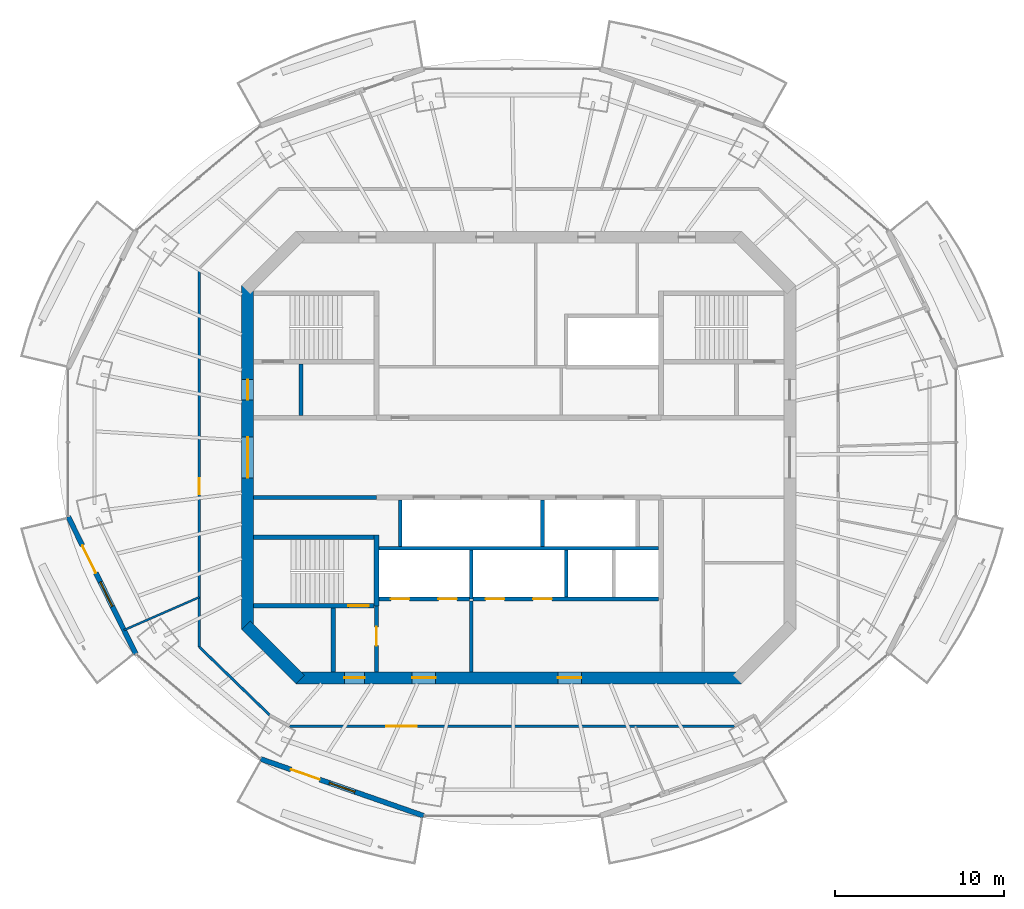
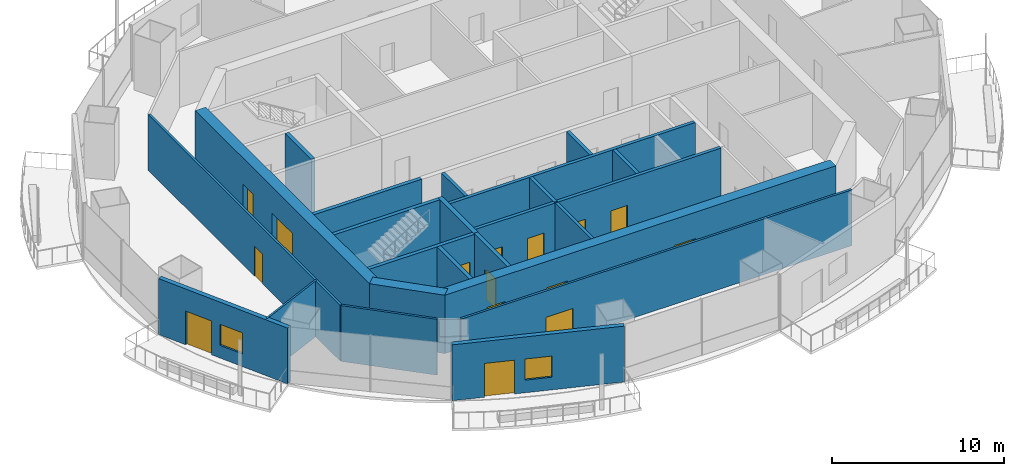
# One storey, part 8 of 16: 24 walls, 15 doors, 2 windows, 17 openings.
"""IFC4 building model written with IfcOpenShell, lengths in metres."""

from ifc_helpers import new_model, si_unit, direction, frame, frame_2d, origin, place, context, subcontext, project, spatial, rectangle, extrude, material, layer, layer_set, type_object, element, fill, save


model = new_model("IFC4")

# Units and contexts
model_context = context("Model", 3, precision=1e-05, world=origin(), true_north=direction((0.0, 1.0)))
body_context = subcontext(model_context, "Body", "Model", "MODEL_VIEW")
ifc_project = project(units=[si_unit("LENGTHUNIT", "METRE"), si_unit("AREAUNIT", "SQUARE_METRE"), si_unit("VOLUMEUNIT", "CUBIC_METRE"), si_unit("PLANEANGLEUNIT", "RADIAN"), si_unit("MASSUNIT", "GRAM", prefix="KILO")], contexts=[model_context])

# Site, building, storey
site_placement = place(None, origin())
site = spatial("IfcSite", under=ifc_project, at=site_placement, CompositionType="ELEMENT")
building_placement = place(site_placement, origin())
building = spatial("IfcBuilding", under=site, at=building_placement, Name="Marenthal Gate Tower", CompositionType="ELEMENT")
storey_placement = place(building_placement, frame((0.0, 0.0, 346.75)))
storey = spatial("IfcBuildingStorey", under=building, at=storey_placement, Name="L78", CompositionType="ELEMENT", Elevation=346.75)

# Wall, openings, doors
ifc_material_1 = material(Name="Concrete 60 MPa", Category="concrete")
ifc_layer_1 = layer(ifc_material_1, 0.699951171875)
ifc_layer_set_1 = layer_set([ifc_layer_1], Name="Core shear wall 700")
wall_type_1 = type_object("IfcWallType", Name="Core shear wall 700", PredefinedType="SHEAR", material=ifc_layer_set_1)
wall_1_placement = place(storey_placement, frame((-16.0, 10.14501953125, -0.179931640625), z_axis=(0.0, 0.0, 1.0), x_axis=(0.0, -1.0, 0.0)))
wall_1 = element("IfcWall", 1, at=wall_1_placement, inside=storey, type_object=wall_type_1, Name="Core wall 06", PredefinedType="SHEAR", context=body_context, shape_type="SweptSolid", body=[
    extrude(rectangle(XDim=20.2900390625, YDim=0.699951171875, at=frame_2d((10.14501953125, 0.0))), origin(), (0.0, 0.0, 1.0), 4.14990234375),
])
opening_1_placement = place(wall_1_placement, frame((8.945068359375, 0.0, 0.179931640625)))
opening_1 = element("IfcOpeningElement", 2, at=opening_1_placement, cuts=wall_1, Name="Opening D003.01", PredefinedType="OPENING", context=body_context, shape_type="SweptSolid", body=[
    extrude(rectangle(XDim=2.39990234375, YDim=2.10009765625, at=frame_2d((1.199951171875, 1.050048828125))), frame((0.0, 0.35986328125, 0.0), z_axis=(0.0, -1.0, 0.0), x_axis=(1.0, 0.0, 0.0)), (0.0, 0.0, 1.0), 0.719970703125),
])
opening_2_placement = place(wall_1_placement, frame((5.544921875, 0.0, 0.179931640625)))
opening_2 = element("IfcOpeningElement", 3, at=opening_2_placement, cuts=wall_1, Name="Opening D001.04", PredefinedType="OPENING", context=body_context, shape_type="SweptSolid", body=[
    extrude(rectangle(XDim=1.199951171875, YDim=2.10009765625, at=frame_2d((0.60009765625, 1.050048828125))), frame((0.0, 0.35986328125, 0.0), z_axis=(0.0, -1.0, 0.0), x_axis=(1.0, 0.0, 0.0)), (0.0, 0.0, 1.0), 0.719970703125),
])
ifc_material_2 = material(Name="Steel fire door", Category="steel")
door_type_1 = type_object("IfcDoorType", Name="Double fire door FD 45 2400 x 2100", OperationType="DOUBLE_DOOR_SINGLE_SWING", PredefinedType="DOOR", material=ifc_material_2)
door_1_placement = place(opening_1_placement, origin())
door_1 = element("IfcDoor", 4, at=door_1_placement, inside=storey, type_object=door_type_1, Name="Door D003.01", OperationType="DOUBLE_DOOR_SINGLE_SWING", OverallHeight=2.10009765625, OverallWidth=2.39990234375, PredefinedType="DOOR", context=body_context, shape_type="SweptSolid", body=[
    extrude(rectangle(XDim=2.39990234375, YDim=2.10009765625, at=frame_2d((1.199951171875, 1.050048828125))), frame((0.0, 0.02490234375, 0.0), z_axis=(0.0, -1.0, 0.0), x_axis=(1.0, 0.0, 0.0)), (0.0, 0.0, 1.0), 0.050048828125),
])
fill(opening_1, door_1)
ifc_material_3 = material(Name="Steel fire door", Category="steel")
door_type_2 = type_object("IfcDoorType", Name="Fire door FD 90 1200 x 2100", OperationType="NOTDEFINED", PredefinedType="DOOR", material=ifc_material_3)
door_2_placement = place(opening_2_placement, origin())
door_2 = element("IfcDoor", 5, at=door_2_placement, inside=storey, type_object=door_type_2, Name="Door D001.04", OperationType="SINGLE_SWING_RIGHT", OverallHeight=2.10009765625, OverallWidth=1.199951171875, PredefinedType="DOOR", context=body_context, shape_type="SweptSolid", body=[
    extrude(rectangle(XDim=1.199951171875, YDim=2.10009765625, at=frame_2d((0.60009765625, 1.050048828125))), frame((0.0, 0.02490234375, 0.0), z_axis=(0.0, -1.0, 0.0), x_axis=(1.0, 0.0, 0.0)), (0.0, 0.0, 1.0), 0.050048828125),
])
fill(opening_2, door_2)

# Wall
wall_2_placement = place(storey_placement, frame((-16.1025390625, -9.8974609375, -0.179931640625), z_axis=(0.0, 0.0, 1.0), x_axis=(0.707106781187, -0.707106781187, 0.0)))
element("IfcWall", 6, at=wall_2_placement, inside=storey, type_object=wall_type_1, Name="Core wall 07", PredefinedType="SHEAR", context=body_context, shape_type="SweptSolid", body=[
    extrude(rectangle(XDim=4.53271484375, YDim=0.699951171875, at=frame_2d((2.266357421875, 0.0))), origin(), (0.0, 0.0, 1.0), 4.14990234375),
])

# Wall, openings, doors
wall_3_placement = place(storey_placement, frame((-13.14501953125, -13.0, -0.179931640625), z_axis=(0.0, 0.0, 1.0), x_axis=(1.0, 0.0, 0.0)))
wall_3 = element("IfcWall", 7, at=wall_3_placement, inside=storey, type_object=wall_type_1, Name="Core wall 08", PredefinedType="SHEAR", context=body_context, shape_type="SweptSolid", body=[
    extrude(rectangle(XDim=26.2900390625, YDim=0.699951171875, at=frame_2d((13.14501953125, 0.0))), origin(), (0.0, 0.0, 1.0), 4.14990234375),
])
opening_3_placement = place(wall_3_placement, frame((2.844970703125, 0.0, 0.179931640625)))
opening_3 = element("IfcOpeningElement", 8, at=opening_3_placement, cuts=wall_3, Name="Opening D001.06", PredefinedType="OPENING", context=body_context, shape_type="SweptSolid", body=[
    extrude(rectangle(XDim=1.199951171875, YDim=2.10009765625, at=frame_2d((0.60009765625, 1.050048828125))), frame((0.0, 0.35986328125, 0.0), z_axis=(0.0, -1.0, 0.0), x_axis=(1.0, 0.0, 0.0)), (0.0, 0.0, 1.0), 0.719970703125),
])
opening_4_placement = place(wall_3_placement, frame((6.844970703125, 0.0, 0.179931640625)))
opening_4 = element("IfcOpeningElement", 9, at=opening_4_placement, cuts=wall_3, Name="Opening D004.01", PredefinedType="OPENING", context=body_context, shape_type="SweptSolid", body=[
    extrude(rectangle(XDim=1.39990234375, YDim=2.10009765625, at=frame_2d((0.699951171875, 1.050048828125))), frame((0.0, 0.35986328125, 0.0), z_axis=(0.0, -1.0, 0.0), x_axis=(1.0, 0.0, 0.0)), (0.0, 0.0, 1.0), 0.719970703125),
])
opening_5_placement = place(wall_3_placement, frame((15.445068359375, 0.0, 0.179931640625)))
opening_5 = element("IfcOpeningElement", 10, at=opening_5_placement, cuts=wall_3, Name="Opening D004.02", PredefinedType="OPENING", context=body_context, shape_type="SweptSolid", body=[
    extrude(rectangle(XDim=1.39990234375, YDim=2.10009765625, at=frame_2d((0.699951171875, 1.050048828125))), frame((0.0, 0.35986328125, 0.0), z_axis=(0.0, -1.0, 0.0), x_axis=(1.0, 0.0, 0.0)), (0.0, 0.0, 1.0), 0.719970703125),
])
ifc_material_4 = material(Name="Steel fire door", Category="steel")
door_type_3 = type_object("IfcDoorType", Name="Fire door FD 45 1400 x 2100", OperationType="NOTDEFINED", PredefinedType="DOOR", material=ifc_material_4)
door_3_placement = place(opening_4_placement, origin())
door_3 = element("IfcDoor", 11, at=door_3_placement, inside=storey, type_object=door_type_3, Name="Door D004.01", OperationType="SINGLE_SWING_RIGHT", OverallHeight=2.10009765625, OverallWidth=1.39990234375, PredefinedType="DOOR", context=body_context, shape_type="SweptSolid", body=[
    extrude(rectangle(XDim=1.39990234375, YDim=2.10009765625, at=frame_2d((0.699951171875, 1.050048828125))), frame((0.0, 0.02490234375, 0.0), z_axis=(0.0, -1.0, 0.0), x_axis=(1.0, 0.0, 0.0)), (0.0, 0.0, 1.0), 0.050048828125),
])
fill(opening_4, door_3)
door_4_placement = place(opening_5_placement, origin())
door_4 = element("IfcDoor", 12, at=door_4_placement, inside=storey, type_object=door_type_3, Name="Door D004.02", OperationType="SINGLE_SWING_RIGHT", OverallHeight=2.10009765625, OverallWidth=1.39990234375, PredefinedType="DOOR", context=body_context, shape_type="SweptSolid", body=[
    extrude(rectangle(XDim=1.39990234375, YDim=2.10009765625, at=frame_2d((0.699951171875, 1.050048828125))), frame((0.0, 0.02490234375, 0.0), z_axis=(0.0, -1.0, 0.0), x_axis=(1.0, 0.0, 0.0)), (0.0, 0.0, 1.0), 0.050048828125),
])
fill(opening_5, door_4)
door_5_placement = place(opening_3_placement, origin())
door_5 = element("IfcDoor", 13, at=door_5_placement, inside=storey, type_object=door_type_2, Name="Door D001.06", OperationType="SINGLE_SWING_RIGHT", OverallHeight=2.10009765625, OverallWidth=1.199951171875, PredefinedType="DOOR", context=body_context, shape_type="SweptSolid", body=[
    extrude(rectangle(XDim=1.199951171875, YDim=2.10009765625, at=frame_2d((0.60009765625, 1.050048828125))), frame((0.0, 0.02490234375, 0.0), z_axis=(0.0, -1.0, 0.0), x_axis=(1.0, 0.0, 0.0)), (0.0, 0.0, 1.0), 0.050048828125),
])
fill(opening_3, door_5)

# Walls
ifc_material_5 = material(Name="Gypsum board on steel studs", Category="steel")
ifc_layer_2 = layer(ifc_material_5, 0.199951171875)
ifc_layer_set_2 = layer_set([ifc_layer_2], Name="Fire lobby wall 200")
wall_type_2 = type_object("IfcWallType", Name="Fire lobby wall 200", PredefinedType="PARTITIONING", material=ifc_layer_set_2)
wall_4_placement = place(storey_placement, frame((-2.800048828125, -12.64990234375, 0.0), z_axis=(0.0, 0.0, 1.0), x_axis=(0.0, 1.0, 0.0)))
element("IfcWall", 14, at=wall_4_placement, inside=storey, type_object=wall_type_2, Name="Fire wall 36", PredefinedType="PARTITIONING", context=body_context, shape_type="SweptSolid", body=[
    extrude(rectangle(XDim=4.18994140625, YDim=0.199951171875, at=frame_2d((2.094970703125, 0.0))), origin(), (0.0, 0.0, 1.0), 3.969970703125),
])
ifc_material_6 = material(Name="Concrete 50 MPa", Category="concrete")
ifc_layer_3 = layer(ifc_material_6, 0.300048828125)
ifc_layer_set_3 = layer_set([ifc_layer_3], Name="Hoistway shear wall 300")
wall_type_3 = type_object("IfcWallType", Name="Hoistway shear wall 300", PredefinedType="SHEAR", material=ifc_layer_set_3)
wall_5_placement = place(storey_placement, frame((-8.39990234375, -8.75, -0.179931640625), z_axis=(0.0, 0.0, 1.0), x_axis=(0.0, 1.0, 0.0)))
element("IfcWall", 15, at=wall_5_placement, inside=storey, type_object=wall_type_3, Name="Hoistway wall 31", PredefinedType="SHEAR", context=body_context, shape_type="SweptSolid", body=[
    extrude(rectangle(XDim=4.175048828125, YDim=0.300048828125, at=frame_2d((2.08740234375, 0.0))), origin(), (0.0, 0.0, 1.0), 4.14990234375),
])

# Wall, openings, doors
ifc_material_7 = material(Name="Concrete 40 MPa", Category="concrete")
ifc_layer_4 = layer(ifc_material_7, 0.219970703125)
ifc_layer_set_4 = layer_set([ifc_layer_4], Name="Hoistway wall 220")
wall_type_4 = type_object("IfcWallType", Name="Hoistway wall 220", PredefinedType="STANDARD", material=ifc_layer_set_4)
wall_6_placement = place(storey_placement, frame((-8.25, -8.35009765625, 0.0), z_axis=(0.0, 0.0, 1.0), x_axis=(1.0, 0.0, 0.0)))
wall_6 = element("IfcWall", 16, at=wall_6_placement, inside=storey, type_object=wall_type_4, Name="Hoistway wall 10", PredefinedType="STANDARD", context=body_context, shape_type="SweptSolid", body=[
    extrude(rectangle(XDim=5.340087890625, YDim=0.219970703125, at=frame_2d((2.669921875, 0.0))), origin(), (0.0, 0.0, 1.0), 3.969970703125),
])
opening_6_placement = place(wall_6_placement, frame((0.699951171875, 0.0, 0.0)))
opening_6 = element("IfcOpeningElement", 17, at=opening_6_placement, cuts=wall_6, Name="Opening LD-LF1", PredefinedType="OPENING", context=body_context, shape_type="SweptSolid", body=[
    extrude(rectangle(XDim=1.10009765625, YDim=2.10009765625, at=frame_2d((0.550048828125, 1.050048828125))), frame((0.0, 0.1201171875, 0.0), z_axis=(0.0, -1.0, 0.0), x_axis=(1.0, 0.0, 0.0)), (0.0, 0.0, 1.0), 0.239990234375),
])
opening_7_placement = place(wall_6_placement, frame((3.5, 0.0, 0.0)))
opening_7 = element("IfcOpeningElement", 18, at=opening_7_placement, cuts=wall_6, Name="Opening LD-LF2", PredefinedType="OPENING", context=body_context, shape_type="SweptSolid", body=[
    extrude(rectangle(XDim=1.10009765625, YDim=2.10009765625, at=frame_2d((0.550048828125, 1.050048828125))), frame((0.0, 0.1201171875, 0.0), z_axis=(0.0, -1.0, 0.0), x_axis=(1.0, 0.0, 0.0)), (0.0, 0.0, 1.0), 0.239990234375),
])
ifc_material_8 = material(Name="Stainless steel sliding door", Category="steel")
door_type_4 = type_object("IfcDoorType", Name="Lift landing door FD 90 1100 x 2100", OperationType="DOUBLE_DOOR_SLIDING", PredefinedType="DOOR", material=ifc_material_8)
door_6_placement = place(opening_6_placement, origin())
door_6 = element("IfcDoor", 19, at=door_6_placement, inside=storey, type_object=door_type_4, Name="Lift landing door LF1", OperationType="DOUBLE_DOOR_SLIDING", OverallHeight=2.10009765625, OverallWidth=1.10009765625, PredefinedType="DOOR", context=body_context, shape_type="SweptSolid", body=[
    extrude(rectangle(XDim=1.10009765625, YDim=2.10009765625, at=frame_2d((0.550048828125, 1.050048828125))), frame((0.0, 0.02490234375, 0.0), z_axis=(0.0, -1.0, 0.0), x_axis=(1.0, 0.0, 0.0)), (0.0, 0.0, 1.0), 0.050048828125),
])
fill(opening_6, door_6)
door_7_placement = place(opening_7_placement, origin())
door_7 = element("IfcDoor", 20, at=door_7_placement, inside=storey, type_object=door_type_4, Name="Lift landing door LF2", OperationType="DOUBLE_DOOR_SLIDING", OverallHeight=2.10009765625, OverallWidth=1.10009765625, PredefinedType="DOOR", context=body_context, shape_type="SweptSolid", body=[
    extrude(rectangle(XDim=1.10009765625, YDim=2.10009765625, at=frame_2d((0.550048828125, 1.050048828125))), frame((0.0, 0.02490234375, 0.0), z_axis=(0.0, -1.0, 0.0), x_axis=(1.0, 0.0, 0.0)), (0.0, 0.0, 1.0), 0.050048828125),
])
fill(opening_7, door_7)

wall_7_placement = place(storey_placement, frame((-2.68994140625, -8.35009765625, 0.0), z_axis=(0.0, 0.0, 1.0), x_axis=(1.0, 0.0, 0.0)))
wall_7 = element("IfcWall", 21, at=wall_7_placement, inside=storey, type_object=wall_type_4, Name="Hoistway wall 11", PredefinedType="STANDARD", context=body_context, shape_type="SweptSolid", body=[
    extrude(rectangle(XDim=10.93994140625, YDim=0.219970703125, at=frame_2d((5.469970703125, 0.0))), origin(), (0.0, 0.0, 1.0), 3.969970703125),
])
opening_8_placement = place(wall_7_placement, frame((0.739990234375, 0.0, 0.0)))
opening_8 = element("IfcOpeningElement", 22, at=opening_8_placement, cuts=wall_7, Name="Opening LD-SV1", PredefinedType="OPENING", context=body_context, shape_type="SweptSolid", body=[
    extrude(rectangle(XDim=1.10009765625, YDim=2.10009765625, at=frame_2d((0.550048828125, 1.050048828125))), frame((0.0, 0.1201171875, 0.0), z_axis=(0.0, -1.0, 0.0), x_axis=(1.0, 0.0, 0.0)), (0.0, 0.0, 1.0), 0.239990234375),
])
opening_9_placement = place(wall_7_placement, frame((3.5400390625, 0.0, 0.0)))
opening_9 = element("IfcOpeningElement", 23, at=opening_9_placement, cuts=wall_7, Name="Opening LD-SV2", PredefinedType="OPENING", context=body_context, shape_type="SweptSolid", body=[
    extrude(rectangle(XDim=1.10009765625, YDim=2.10009765625, at=frame_2d((0.550048828125, 1.050048828125))), frame((0.0, 0.1201171875, 0.0), z_axis=(0.0, -1.0, 0.0), x_axis=(1.0, 0.0, 0.0)), (0.0, 0.0, 1.0), 0.239990234375),
])
door_8_placement = place(opening_8_placement, origin())
door_8 = element("IfcDoor", 24, at=door_8_placement, inside=storey, type_object=door_type_4, Name="Lift landing door SV1", OperationType="DOUBLE_DOOR_SLIDING", OverallHeight=2.10009765625, OverallWidth=1.10009765625, PredefinedType="DOOR", context=body_context, shape_type="SweptSolid", body=[
    extrude(rectangle(XDim=1.10009765625, YDim=2.10009765625, at=frame_2d((0.550048828125, 1.050048828125))), frame((0.0, 0.02490234375, 0.0), z_axis=(0.0, -1.0, 0.0), x_axis=(1.0, 0.0, 0.0)), (0.0, 0.0, 1.0), 0.050048828125),
])
fill(opening_8, door_8)
door_9_placement = place(opening_9_placement, origin())
door_9 = element("IfcDoor", 25, at=door_9_placement, inside=storey, type_object=door_type_4, Name="Lift landing door SV2", OperationType="DOUBLE_DOOR_SLIDING", OverallHeight=2.10009765625, OverallWidth=1.10009765625, PredefinedType="DOOR", context=body_context, shape_type="SweptSolid", body=[
    extrude(rectangle(XDim=1.10009765625, YDim=2.10009765625, at=frame_2d((0.550048828125, 1.050048828125))), frame((0.0, 0.02490234375, 0.0), z_axis=(0.0, -1.0, 0.0), x_axis=(1.0, 0.0, 0.0)), (0.0, 0.0, 1.0), 0.050048828125),
])
fill(opening_9, door_9)

# Walls
wall_8_placement = place(storey_placement, frame((-8.25, -5.35009765625, 0.0), z_axis=(0.0, 0.0, 1.0), x_axis=(1.0, 0.0, 0.0)))
element("IfcWall", 26, at=wall_8_placement, inside=storey, type_object=wall_type_4, Name="Hoistway wall 13", PredefinedType="STANDARD", context=body_context, shape_type="SweptSolid", body=[
    extrude(rectangle(XDim=16.5, YDim=0.219970703125, at=frame_2d((8.25, 0.0))), origin(), (0.0, 0.0, 1.0), 3.969970703125),
])
wall_9_placement = place(storey_placement, frame((-7.0, -5.239990234375, 0.0), z_axis=(0.0, 0.0, 1.0), x_axis=(0.0, 1.0, 0.0)))
element("IfcWall", 27, at=wall_9_placement, inside=storey, type_object=wall_type_4, Name="Hoistway wall 34", PredefinedType="STANDARD", context=body_context, shape_type="SweptSolid", body=[
    extrude(rectangle(XDim=2.739990234375, YDim=0.219970703125, at=frame_2d((1.3701171875, 0.0))), origin(), (0.0, 0.0, 1.0), 3.969970703125),
])
wall_10_placement = place(storey_placement, frame((-2.800048828125, -8.35009765625, 0.0), z_axis=(0.0, 0.0, 1.0), x_axis=(0.0, 1.0, 0.0)))
element("IfcWall", 28, at=wall_10_placement, inside=storey, type_object=wall_type_4, Name="Hoistway wall 37", PredefinedType="STANDARD", context=body_context, shape_type="SweptSolid", body=[
    extrude(rectangle(XDim=2.89013671875, YDim=0.219970703125, at=frame_2d((1.445068359375, 0.0))), origin(), (0.0, 0.0, 1.0), 3.969970703125),
])
wall_11_placement = place(storey_placement, frame((1.39990234375, -5.239990234375, 0.0), z_axis=(0.0, 0.0, 1.0), x_axis=(0.0, 1.0, 0.0)))
element("IfcWall", 29, at=wall_11_placement, inside=storey, type_object=wall_type_4, Name="Hoistway wall 39", PredefinedType="STANDARD", context=body_context, shape_type="SweptSolid", body=[
    extrude(rectangle(XDim=2.739990234375, YDim=0.219970703125, at=frame_2d((1.3701171875, 0.0))), origin(), (0.0, 0.0, 1.0), 3.969970703125),
])
wall_12_placement = place(storey_placement, frame((2.800048828125, -8.239990234375, 0.0), z_axis=(0.0, 0.0, 1.0), x_axis=(0.0, 1.0, 0.0)))
element("IfcWall", 30, at=wall_12_placement, inside=storey, type_object=wall_type_4, Name="Hoistway wall 41", PredefinedType="STANDARD", context=body_context, shape_type="SweptSolid", body=[
    extrude(rectangle(XDim=2.780029296875, YDim=0.219970703125, at=frame_2d((1.39013671875, 0.0))), origin(), (0.0, 0.0, 1.0), 3.969970703125),
])
ifc_material_9 = material(Name="Gypsum board on steel studs", Category="steel")
ifc_layer_5 = layer(ifc_material_9, 0.1201171875)
ifc_layer_set_5 = layer_set([ifc_layer_5], Name="Partition 120")
wall_type_5 = type_object("IfcWallType", Name="Partition 120", PredefinedType="PARTITIONING", material=ifc_layer_set_5)
wall_13_placement = place(storey_placement, frame((-18.85009765625, -8.239013671875, 0.0), z_axis=(0.0, 0.0, 1.0), x_axis=(-0.916287746966, -0.400520617148, 0.0)))
element("IfcWall", 31, at=wall_13_placement, inside=storey, type_object=wall_type_5, Name="Partition wall 53", PredefinedType="PARTITIONING", context=body_context, shape_type="SweptSolid", body=[
    extrude(rectangle(XDim=4.853271484375, YDim=0.1201171875, at=frame_2d((2.4267578125, 0.0))), origin(), (0.0, 0.0, 1.0), 3.969970703125),
])

# Wall, opening, door
ifc_material_10 = material(Name="Gypsum board on steel studs", Category="steel")
ifc_layer_6 = layer(ifc_material_10, 0.14990234375)
ifc_layer_set_6 = layer_set([ifc_layer_6], Name="Partition 150")
wall_type_6 = type_object("IfcWallType", Name="Partition 150", PredefinedType="PARTITIONING", material=ifc_layer_set_6)
wall_14_placement = place(storey_placement, frame((-18.85009765625, -11.180419921875, 0.0), z_axis=(0.0, 0.0, 1.0), x_axis=(0.0, 1.0, 0.0)))
wall_14 = element("IfcWall", 32, at=wall_14_placement, inside=storey, type_object=wall_type_6, Name="Partition wall 52", PredefinedType="PARTITIONING", context=body_context, shape_type="SweptSolid", body=[
    extrude(rectangle(XDim=22.36083984375, YDim=0.14990234375, at=frame_2d((11.180419921875, 0.0))), origin(), (0.0, 0.0, 1.0), 3.969970703125),
])
opening_10_placement = place(wall_14_placement, frame((9.02001953125, 0.0, 0.0)))
opening_10 = element("IfcOpeningElement", 33, at=opening_10_placement, cuts=wall_14, Name="Opening D016.04", PredefinedType="OPENING", context=body_context, shape_type="SweptSolid", body=[
    extrude(rectangle(XDim=0.949951171875, YDim=2.10009765625, at=frame_2d((0.47509765625, 1.050048828125))), frame((0.0, 0.0849609375, 0.0), z_axis=(0.0, -1.0, 0.0), x_axis=(1.0, 0.0, 0.0)), (0.0, 0.0, 1.0), 0.169921875),
])
ifc_material_11 = material(Name="Timber door", Category="wood")
door_type_5 = type_object("IfcDoorType", Name="Door 950 x 2100", OperationType="NOTDEFINED", PredefinedType="DOOR", material=ifc_material_11)
door_10_placement = place(opening_10_placement, frame((0.949951171875, 0.0, 0.0), z_axis=(0.0, 0.0, 1.0), x_axis=(-1.0, 0.0, 0.0)))
door_10 = element("IfcDoor", 34, at=door_10_placement, inside=storey, type_object=door_type_5, Name="Door D016.04", OperationType="SINGLE_SWING_LEFT", OverallHeight=2.10009765625, OverallWidth=0.949951171875, PredefinedType="DOOR", context=body_context, shape_type="SweptSolid", body=[
    extrude(rectangle(XDim=0.949951171875, YDim=2.10009765625, at=frame_2d((0.47509765625, 1.050048828125))), frame((0.0, 0.02490234375, 0.0), z_axis=(0.0, -1.0, 0.0), x_axis=(1.0, 0.0, 0.0)), (0.0, 0.0, 1.0), 0.050048828125),
])
fill(opening_10, door_10)

# Wall
wall_15_placement = place(storey_placement, frame((-14.706787109375, -15.194580078125, 0.0), z_axis=(0.0, 0.0, 1.0), x_axis=(-0.718211802801, 0.695824551391, 0.0)))
element("IfcWall", 35, at=wall_15_placement, inside=storey, type_object=wall_type_6, Name="Partition wall 55", PredefinedType="PARTITIONING", context=body_context, shape_type="SweptSolid", body=[
    extrude(rectangle(XDim=5.76904296875, YDim=0.14990234375, at=frame_2d((2.884521484375, 0.0))), origin(), (0.0, 0.0, 1.0), 3.969970703125),
])

# Wall, opening, door
wall_16_placement = place(storey_placement, frame((12.7275390625, -15.85009765625, 0.0), z_axis=(0.0, 0.0, 1.0), x_axis=(-1.0, 0.0, 0.0)))
wall_16 = element("IfcWall", 36, at=wall_16_placement, inside=storey, type_object=wall_type_6, Name="Partition wall 62", PredefinedType="PARTITIONING", context=body_context, shape_type="SweptSolid", body=[
    extrude(rectangle(XDim=26.255126953125, YDim=0.14990234375, at=frame_2d((13.12744140625, 0.0))), origin(), (0.0, 0.0, 1.0), 3.969970703125),
])
opening_11_placement = place(wall_16_placement, frame((18.741943359375, 0.0, 0.0)))
opening_11 = element("IfcOpeningElement", 37, at=opening_11_placement, cuts=wall_16, Name="Opening D014.03", PredefinedType="OPENING", context=body_context, shape_type="SweptSolid", body=[
    extrude(rectangle(XDim=1.800048828125, YDim=2.10009765625, at=frame_2d((0.89990234375, 1.050048828125))), frame((0.0, 0.0849609375, 0.0), z_axis=(0.0, -1.0, 0.0), x_axis=(1.0, 0.0, 0.0)), (0.0, 0.0, 1.0), 0.169921875),
])
ifc_material_12 = material(Name="Timber door", Category="wood")
door_type_6 = type_object("IfcDoorType", Name="Double door 1800 x 2100", OperationType="DOUBLE_DOOR_SINGLE_SWING", PredefinedType="DOOR", material=ifc_material_12)
door_11_placement = place(opening_11_placement, origin())
door_11 = element("IfcDoor", 38, at=door_11_placement, inside=storey, type_object=door_type_6, Name="Door D014.03", OperationType="DOUBLE_DOOR_SINGLE_SWING", OverallHeight=2.10009765625, OverallWidth=1.800048828125, PredefinedType="DOOR", context=body_context, shape_type="SweptSolid", body=[
    extrude(rectangle(XDim=1.800048828125, YDim=2.10009765625, at=frame_2d((0.89990234375, 1.050048828125))), frame((0.0, 0.02490234375, 0.0), z_axis=(0.0, -1.0, 0.0), x_axis=(1.0, 0.0, 0.0)), (0.0, 0.0, 1.0), 0.050048828125),
])
fill(opening_11, door_11)

# Walls
ifc_material_13 = material(Name="Concrete 40 MPa", Category="concrete")
ifc_layer_7 = layer(ifc_material_13, 0.25)
ifc_layer_set_7 = layer_set([ifc_layer_7], Name="Stair enclosure wall 250")
wall_type_7 = type_object("IfcWallType", Name="Stair enclosure wall 250", PredefinedType="STANDARD", material=ifc_layer_set_7)
wall_17_placement = place(storey_placement, frame((-15.64990234375, -2.35009765625, 0.0), z_axis=(0.0, 0.0, 1.0), x_axis=(1.0, 0.0, 0.0)))
element("IfcWall", 39, at=wall_17_placement, inside=storey, type_object=wall_type_7, Name="Stair wall 15", PredefinedType="STANDARD", context=body_context, shape_type="SweptSolid", body=[
    extrude(rectangle(XDim=7.25, YDim=0.25, at=frame_2d((3.625, 0.0))), origin(), (0.0, 0.0, 1.0), 3.969970703125),
])
wall_18_placement = place(storey_placement, frame((-12.85009765625, 2.47509765625, 0.0), z_axis=(0.0, 0.0, 1.0), x_axis=(0.0, 1.0, 0.0)))
element("IfcWall", 40, at=wall_18_placement, inside=storey, type_object=wall_type_7, Name="Stair wall 28", PredefinedType="STANDARD", context=body_context, shape_type="SweptSolid", body=[
    extrude(rectangle(XDim=3.0498046875, YDim=0.25, at=frame_2d((1.52490234375, 0.0))), origin(), (0.0, 0.0, 1.0), 3.969970703125),
])
wall_19_placement = place(storey_placement, frame((-10.949951171875, -12.64990234375, 0.0), z_axis=(0.0, 0.0, 1.0), x_axis=(0.0, 1.0, 0.0)))
element("IfcWall", 41, at=wall_19_placement, inside=storey, type_object=wall_type_7, Name="Stair wall 29", PredefinedType="STANDARD", context=body_context, shape_type="SweptSolid", body=[
    extrude(rectangle(XDim=3.77490234375, YDim=0.25, at=frame_2d((1.887451171875, 0.0))), origin(), (0.0, 0.0, 1.0), 3.969970703125),
])

# Wall, opening, door
wall_20_placement = place(storey_placement, frame((-8.39990234375, -12.64990234375, 0.0), z_axis=(0.0, 0.0, 1.0), x_axis=(0.0, 1.0, 0.0)))
wall_20 = element("IfcWall", 42, at=wall_20_placement, inside=storey, type_object=wall_type_7, Name="Stair wall 30", PredefinedType="STANDARD", context=body_context, shape_type="SweptSolid", body=[
    extrude(rectangle(XDim=3.89990234375, YDim=0.25, at=frame_2d((1.949951171875, 0.0))), origin(), (0.0, 0.0, 1.0), 3.969970703125),
])
opening_12_placement = place(wall_20_placement, frame((1.550048828125, 0.0, 0.0)))
opening_12 = element("IfcOpeningElement", 43, at=opening_12_placement, cuts=wall_20, Name="Opening D002.01", PredefinedType="OPENING", context=body_context, shape_type="SweptSolid", body=[
    extrude(rectangle(XDim=1.10009765625, YDim=2.10009765625, at=frame_2d((0.550048828125, 1.050048828125))), frame((0.0, 0.135009765625, 0.0), z_axis=(0.0, -1.0, 0.0), x_axis=(1.0, 0.0, 0.0)), (0.0, 0.0, 1.0), 0.27001953125),
])
ifc_material_14 = material(Name="Steel fire door", Category="steel")
door_type_7 = type_object("IfcDoorType", Name="Fire door FD 90 1100 x 2100", OperationType="NOTDEFINED", PredefinedType="DOOR", material=ifc_material_14)
door_12_placement = place(opening_12_placement, origin())
door_12 = element("IfcDoor", 44, at=door_12_placement, inside=storey, type_object=door_type_7, Name="Door D002.01", OperationType="SINGLE_SWING_RIGHT", OverallHeight=2.10009765625, OverallWidth=1.10009765625, PredefinedType="DOOR", context=body_context, shape_type="SweptSolid", body=[
    extrude(rectangle(XDim=1.10009765625, YDim=2.10009765625, at=frame_2d((0.550048828125, 1.050048828125))), frame((0.0, 0.02490234375, 0.0), z_axis=(0.0, -1.0, 0.0), x_axis=(1.0, 0.0, 0.0)), (0.0, 0.0, 1.0), 0.050048828125),
])
fill(opening_12, door_12)

ifc_material_15 = material(Name="Concrete 50 MPa", Category="concrete")
ifc_layer_8 = layer(ifc_material_15, 0.25)
ifc_layer_set_8 = layer_set([ifc_layer_8], Name="Stair shear wall 250")
wall_type_8 = type_object("IfcWallType", Name="Stair shear wall 250", PredefinedType="SHEAR", material=ifc_layer_set_8)
wall_21_placement = place(storey_placement, frame((-15.64990234375, -8.75, -0.179931640625), z_axis=(0.0, 0.0, 1.0), x_axis=(1.0, 0.0, 0.0)))
wall_21 = element("IfcWall", 45, at=wall_21_placement, inside=storey, type_object=wall_type_8, Name="Stair wall 09", PredefinedType="SHEAR", context=body_context, shape_type="SweptSolid", body=[
    extrude(rectangle(XDim=7.099853515625, YDim=0.25, at=frame_2d((3.5498046875, 0.0))), origin(), (0.0, 0.0, 1.0), 4.14990234375),
])
opening_13_placement = place(wall_21_placement, frame((5.60009765625, 0.0, 0.179931640625)))
opening_13 = element("IfcOpeningElement", 46, at=opening_13_placement, cuts=wall_21, Name="Opening D001.03", PredefinedType="OPENING", context=body_context, shape_type="SweptSolid", body=[
    extrude(rectangle(XDim=1.199951171875, YDim=2.10009765625, at=frame_2d((0.60009765625, 1.050048828125))), frame((0.0, 0.135009765625, 0.0), z_axis=(0.0, -1.0, 0.0), x_axis=(1.0, 0.0, 0.0)), (0.0, 0.0, 1.0), 0.27001953125),
])
door_13_placement = place(opening_13_placement, origin())
door_13 = element("IfcDoor", 47, at=door_13_placement, inside=storey, type_object=door_type_2, Name="Door D001.03", OperationType="SINGLE_SWING_RIGHT", OverallHeight=2.10009765625, OverallWidth=1.199951171875, PredefinedType="DOOR", context=body_context, shape_type="SweptSolid", body=[
    extrude(rectangle(XDim=1.199951171875, YDim=2.10009765625, at=frame_2d((0.60009765625, 1.050048828125))), frame((0.0, 0.02490234375, 0.0), z_axis=(0.0, -1.0, 0.0), x_axis=(1.0, 0.0, 0.0)), (0.0, 0.0, 1.0), 0.050048828125),
])
fill(opening_13, door_13)

# Wall
wall_22_placement = place(storey_placement, frame((-15.64990234375, -4.699951171875, -0.179931640625), z_axis=(0.0, 0.0, 1.0), x_axis=(1.0, 0.0, 0.0)))
element("IfcWall", 48, at=wall_22_placement, inside=storey, type_object=wall_type_8, Name="Stair wall 14", PredefinedType="SHEAR", context=body_context, shape_type="SweptSolid", body=[
    extrude(rectangle(XDim=7.099853515625, YDim=0.25, at=frame_2d((3.5498046875, 0.0))), origin(), (0.0, 0.0, 1.0), 4.14990234375),
])

# Wall, openings, door, window
ifc_material_16 = material(Name="Terracotta cladding on insulated concrete-block backing", Category="masonry")
ifc_layer_9 = layer(ifc_material_16, 0.300048828125)
ifc_layer_set_9 = layer_set([ifc_layer_9], Name="Terracotta facade wall 300")
wall_type_9 = type_object("IfcWallType", Name="Terracotta facade wall 300", PredefinedType="SOLIDWALL", material=ifc_layer_set_9)
wall_23_placement = place(storey_placement, frame((-26.59375, -3.48486328125, 0.0), z_axis=(0.0, 0.0, 1.0), x_axis=(0.441581239579, -0.897221270842, 0.0)))
wall_23 = element("IfcWall", 49, at=wall_23_placement, inside=storey, type_object=wall_type_9, Name="Terracotta facade wall L78 bay 9", PredefinedType="SOLIDWALL", context=body_context, shape_type="SweptSolid", body=[
    extrude(rectangle(XDim=9.0302734375, YDim=0.300048828125, at=frame_2d((4.51513671875, 0.0))), origin(), (0.0, 0.0, 1.0), 3.969970703125),
])
opening_14_placement = place(wall_23_placement, frame((1.89990234375, 0.0, 0.0)))
opening_14 = element("IfcOpeningElement", 50, at=opening_14_placement, cuts=wall_23, Name="Opening BD-L78-09", PredefinedType="OPENING", context=body_context, shape_type="SweptSolid", body=[
    extrude(rectangle(XDim=1.800048828125, YDim=2.39990234375, at=frame_2d((0.89990234375, 1.199951171875))), frame((0.0, 0.16015625, 0.0), z_axis=(0.0, -1.0, 0.0), x_axis=(1.0, 0.0, 0.0)), (0.0, 0.0, 1.0), 0.320068359375),
])
opening_15_placement = place(wall_23_placement, frame((4.300048828125, 0.0, 0.89990234375)))
opening_15 = element("IfcOpeningElement", 51, at=opening_15_placement, cuts=wall_23, Name="Opening WN3-L78-09", PredefinedType="OPENING", context=body_context, shape_type="SweptSolid", body=[
    extrude(rectangle(XDim=1.60009765625, YDim=1.5, at=frame_2d((0.800048828125, 0.75))), frame((0.0, 0.16015625, 0.0), z_axis=(0.0, -1.0, 0.0), x_axis=(1.0, 0.0, 0.0)), (0.0, 0.0, 1.0), 0.320068359375),
])
ifc_material_17 = material(Name="Aluminium and glass", Category="aluminium")
door_type_8 = type_object("IfcDoorType", Name="Balcony door 1800x2400", OperationType="DOUBLE_DOOR_SINGLE_SWING", PredefinedType="DOOR", material=ifc_material_17)
door_14_placement = place(opening_14_placement, origin())
door_14 = element("IfcDoor", 52, at=door_14_placement, inside=storey, type_object=door_type_8, Name="Balcony door L78 bay 9", OperationType="SINGLE_SWING_LEFT", OverallHeight=2.39990234375, OverallWidth=1.800048828125, PredefinedType="DOOR", context=body_context, shape_type="SweptSolid", body=[
    extrude(rectangle(XDim=1.800048828125, YDim=2.39990234375, at=frame_2d((0.89990234375, 1.199951171875))), frame((0.0, 0.02490234375, 0.0), z_axis=(0.0, -1.0, 0.0), x_axis=(1.0, 0.0, 0.0)), (0.0, 0.0, 1.0), 0.050048828125),
])
fill(opening_14, door_14)
ifc_material_18 = material(Name="Aluminium and glass", Category="aluminium")
window_type = type_object("IfcWindowType", Name="Window 1600x1500", PartitioningType="DOUBLE_PANEL_VERTICAL", PredefinedType="WINDOW", material=ifc_material_18)
window_1_placement = place(opening_15_placement, origin())
window_1 = element("IfcWindow", 53, at=window_1_placement, inside=storey, type_object=window_type, Name="Window L78 bay 9", OverallHeight=1.5, OverallWidth=1.60009765625, PartitioningType="SINGLE_PANEL", PredefinedType="WINDOW", context=body_context, shape_type="SweptSolid", body=[
    extrude(rectangle(XDim=1.60009765625, YDim=1.5, at=frame_2d((0.800048828125, 0.75))), frame((0.0, 0.030029296875, 0.0), z_axis=(0.0, -1.0, 0.0), x_axis=(1.0, 0.0, 0.0)), (0.0, 0.0, 1.0), 0.06005859375),
])
fill(opening_15, window_1)

wall_24_placement = place(storey_placement, frame((-15.237548828125, -17.7880859375, 0.0), z_axis=(0.0, 0.0, 1.0), x_axis=(0.944272378507, -0.329165118428, 0.0)))
wall_24 = element("IfcWall", 54, at=wall_24_placement, inside=storey, type_object=wall_type_9, Name="Terracotta facade wall L78 bay 11", PredefinedType="SOLIDWALL", context=body_context, shape_type="SweptSolid", body=[
    extrude(rectangle(XDim=10.1953125, YDim=0.300048828125, at=frame_2d((5.09765625, 0.0))), origin(), (0.0, 0.0, 1.0), 3.969970703125),
])
opening_16_placement = place(wall_24_placement, frame((1.89990234375, 0.0, 0.0)))
opening_16 = element("IfcOpeningElement", 55, at=opening_16_placement, cuts=wall_24, Name="Opening BD-L78-11", PredefinedType="OPENING", context=body_context, shape_type="SweptSolid", body=[
    extrude(rectangle(XDim=1.800048828125, YDim=2.39990234375, at=frame_2d((0.89990234375, 1.199951171875))), frame((0.0, 0.16015625, 0.0), z_axis=(0.0, -1.0, 0.0), x_axis=(1.0, 0.0, 0.0)), (0.0, 0.0, 1.0), 0.320068359375),
])
opening_17_placement = place(wall_24_placement, frame((4.300048828125, 0.0, 0.89990234375)))
opening_17 = element("IfcOpeningElement", 56, at=opening_17_placement, cuts=wall_24, Name="Opening WN3-L78-11", PredefinedType="OPENING", context=body_context, shape_type="SweptSolid", body=[
    extrude(rectangle(XDim=1.60009765625, YDim=1.5, at=frame_2d((0.800048828125, 0.75))), frame((0.0, 0.16015625, 0.0), z_axis=(0.0, -1.0, 0.0), x_axis=(1.0, 0.0, 0.0)), (0.0, 0.0, 1.0), 0.320068359375),
])
door_15_placement = place(opening_16_placement, origin())
door_15 = element("IfcDoor", 57, at=door_15_placement, inside=storey, type_object=door_type_8, Name="Balcony door L78 bay 11", OperationType="SINGLE_SWING_LEFT", OverallHeight=2.39990234375, OverallWidth=1.800048828125, PredefinedType="DOOR", context=body_context, shape_type="SweptSolid", body=[
    extrude(rectangle(XDim=1.800048828125, YDim=2.39990234375, at=frame_2d((0.89990234375, 1.199951171875))), frame((0.0, 0.02490234375, 0.0), z_axis=(0.0, -1.0, 0.0), x_axis=(1.0, 0.0, 0.0)), (0.0, 0.0, 1.0), 0.050048828125),
])
fill(opening_16, door_15)
window_2_placement = place(opening_17_placement, origin())
window_2 = element("IfcWindow", 58, at=window_2_placement, inside=storey, type_object=window_type, Name="Window L78 bay 11", OverallHeight=1.5, OverallWidth=1.60009765625, PartitioningType="SINGLE_PANEL", PredefinedType="WINDOW", context=body_context, shape_type="SweptSolid", body=[
    extrude(rectangle(XDim=1.60009765625, YDim=1.5, at=frame_2d((0.800048828125, 0.75))), frame((0.0, 0.030029296875, 0.0), z_axis=(0.0, -1.0, 0.0), x_axis=(1.0, 0.0, 0.0)), (0.0, 0.0, 1.0), 0.06005859375),
])
fill(opening_17, window_2)

save(model, "model.ifc")
